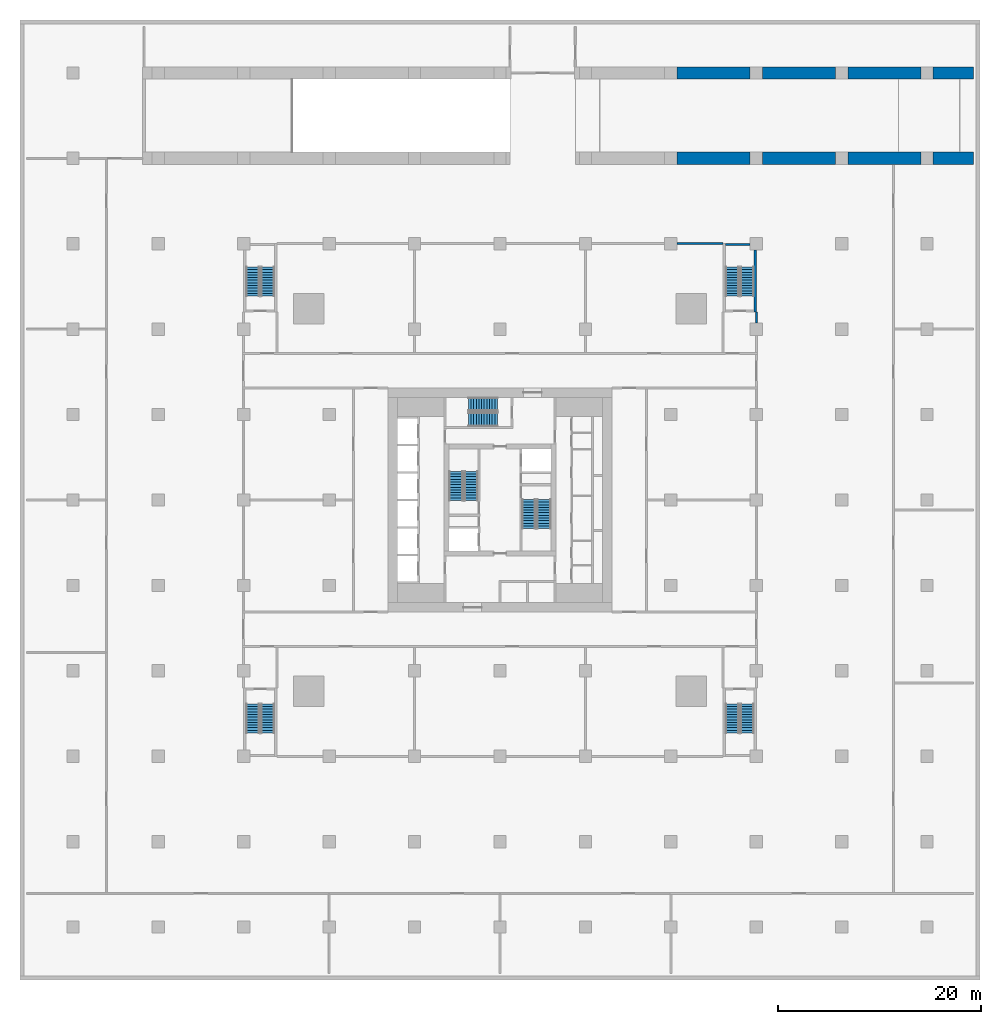
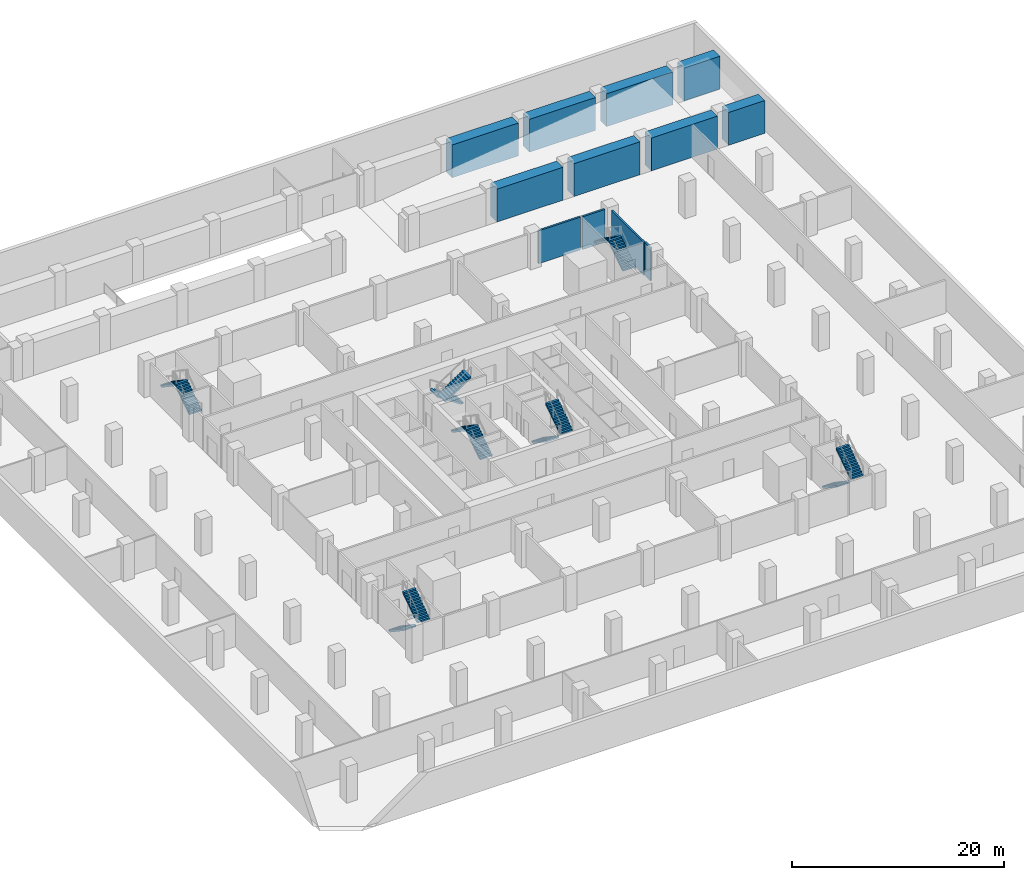
# One storey, part 11 of 16: 14 stair flights, 12 walls, 7 elements without a shape of their own.
"""IFC4 building model written with IfcOpenShell, lengths in metres."""

from ifc_helpers import new_model, si_unit, direction, frame, frame_2d, origin, place, context, subcontext, project, spatial, polyline, rectangle, outline, extrude, material, layer, layer_set, type_object, element, aggregate, save


model = new_model("IFC4")

# Units and contexts
model_context = context("Model", 3, precision=1e-05, world=origin(), true_north=direction((0.0, 1.0)))
body_context = subcontext(model_context, "Body", "Model", "MODEL_VIEW")
ifc_project = project(units=[si_unit("LENGTHUNIT", "METRE"), si_unit("AREAUNIT", "SQUARE_METRE"), si_unit("VOLUMEUNIT", "CUBIC_METRE"), si_unit("PLANEANGLEUNIT", "RADIAN"), si_unit("MASSUNIT", "GRAM", prefix="KILO")], contexts=[model_context])

# Site, building, storey
site_placement = place(None, origin())
site = spatial("IfcSite", under=ifc_project, at=site_placement, CompositionType="ELEMENT")
building_placement = place(site_placement, origin())
building = spatial("IfcBuilding", under=site, at=building_placement, Name="Khepri Terraces", CompositionType="ELEMENT")
storey_placement = place(building_placement, frame((0.0, 0.0, -4.199951171875)))
storey = spatial("IfcBuildingStorey", under=building, at=storey_placement, Name="B1", CompositionType="ELEMENT", Elevation=-4.199951171875)

# Walls
ifc_material_1 = material(Name="Fire-rated block wall")
ifc_layer_1 = layer(ifc_material_1, 0.199951171875, Name="Fire-rated block wall")
ifc_layer_set_1 = layer_set([ifc_layer_1], Name="Fire-rated block wall")
wall_type_1 = type_object("IfcWallType", Name="WL-POD-200-EI120", PredefinedType="PARTITIONING", material=ifc_layer_set_1)
wall_1_placement = place(storey_placement, frame((17.39990234375, 25.199951171875, 0.0), z_axis=(0.0, 0.0, 1.0), x_axis=(1.0, 0.0, 0.0)))
element("IfcWall", 1, at=wall_1_placement, inside=storey, type_object=wall_type_1, Name="Partition B1-PW033", PredefinedType="PARTITIONING", context=body_context, shape_type="SweptSolid", body=[
    extrude(rectangle(XDim=4.550048828125, YDim=0.199951171875, at=frame_2d((2.27490234375, 0.0))), origin(), (0.0, 0.0, 1.0), 3.780029296875),
])
wall_2_placement = place(storey_placement, frame((25.199951171875, 17.39990234375, 0.0), z_axis=(0.0, 0.0, 1.0), x_axis=(0.0, 1.0, 0.0)))
element("IfcWall", 2, at=wall_2_placement, inside=storey, type_object=wall_type_1, Name="Partition B1-PW105", PredefinedType="PARTITIONING", context=body_context, shape_type="SweptSolid", body=[
    extrude(rectangle(XDim=1.10009765625, YDim=0.199951171875, at=frame_2d((0.550048828125, 0.0))), origin(), (0.0, 0.0, 1.0), 3.780029296875),
])
ifc_material_2 = material(Name="Concrete C40/50", Category="concrete")
ifc_layer_2 = layer(ifc_material_2, 1.199951171875, Name="Concrete C40/50", Category="concrete")
ifc_layer_set_2 = layer_set([ifc_layer_2], Name="Concrete C40/50")
wall_type_2 = type_object("IfcWallType", Name="WL-POD-RAMP-1200", PredefinedType="SOLIDWALL", material=ifc_layer_set_2)
wall_3_placement = place(storey_placement, frame((17.39990234375, 33.60009765625, 0.0), z_axis=(0.0, 0.0, 1.0), x_axis=(1.0, 0.0, 0.0)))
element("IfcWall", 3, at=wall_3_placement, inside=storey, type_object=wall_type_2, Name="Ramp wall B1-PW044", PredefinedType="SOLIDWALL", context=body_context, shape_type="SweptSolid", body=[
    extrude(rectangle(XDim=7.2001953125, YDim=1.199951171875, at=frame_2d((3.60009765625, 0.0))), origin(), (0.0, 0.0, 1.0), 3.780029296875),
])
for number, where, z_axis, x_axis, name in (
    (4, (25.800048828125, 33.60009765625, 0.0), (0.0, 0.0, 1.0), (1.0, 0.0, 0.0), "Ramp wall B1-PW045"),
    (5, (34.199951171875, 33.60009765625, 0.0), (0.0, 0.0, 1.0), (1.0, 0.0, 0.0), "Ramp wall B1-PW046"),
):
    element("IfcWall", number, at=place(storey_placement, frame(where, z_axis=z_axis, x_axis=x_axis)), inside=storey, type_object=wall_type_2, Name=name, PredefinedType="SOLIDWALL", context=body_context, shape_type="SweptSolid", body=[
        extrude(rectangle(XDim=7.199951171875, YDim=1.199951171875, at=frame_2d((3.60009765625, 0.0))), origin(), (0.0, 0.0, 1.0), 3.780029296875),
    ])
wall_4_placement = place(storey_placement, frame((42.60009765625, 33.60009765625, 0.0), z_axis=(0.0, 0.0, 1.0), x_axis=(1.0, 0.0, 0.0)))
element("IfcWall", 6, at=wall_4_placement, inside=storey, type_object=wall_type_2, Name="Ramp wall B1-PW047", PredefinedType="SOLIDWALL", context=body_context, shape_type="SweptSolid", body=[
    extrude(rectangle(XDim=3.949951171875, YDim=1.199951171875, at=frame_2d((1.97509765625, 0.0))), origin(), (0.0, 0.0, 1.0), 3.780029296875),
])
wall_5_placement = place(storey_placement, frame((17.39990234375, 42.0, 0.0), z_axis=(0.0, 0.0, 1.0), x_axis=(1.0, 0.0, 0.0)))
element("IfcWall", 7, at=wall_5_placement, inside=storey, type_object=wall_type_2, Name="Ramp wall B1-PW057", PredefinedType="SOLIDWALL", context=body_context, shape_type="SweptSolid", body=[
    extrude(rectangle(XDim=7.2001953125, YDim=1.199951171875, at=frame_2d((3.60009765625, 0.0))), origin(), (0.0, 0.0, 1.0), 3.780029296875),
])
for number, where, z_axis, x_axis, name in (
    (8, (25.800048828125, 42.0, 0.0), (0.0, 0.0, 1.0), (1.0, 0.0, 0.0), "Ramp wall B1-PW058"),
    (9, (34.199951171875, 42.0, 0.0), (0.0, 0.0, 1.0), (1.0, 0.0, 0.0), "Ramp wall B1-PW059"),
):
    element("IfcWall", number, at=place(storey_placement, frame(where, z_axis=z_axis, x_axis=x_axis)), inside=storey, type_object=wall_type_2, Name=name, PredefinedType="SOLIDWALL", context=body_context, shape_type="SweptSolid", body=[
        extrude(rectangle(XDim=7.199951171875, YDim=1.199951171875, at=frame_2d((3.60009765625, 0.0))), origin(), (0.0, 0.0, 1.0), 3.780029296875),
    ])
wall_6_placement = place(storey_placement, frame((42.60009765625, 42.0, 0.0), z_axis=(0.0, 0.0, 1.0), x_axis=(1.0, 0.0, 0.0)))
element("IfcWall", 10, at=wall_6_placement, inside=storey, type_object=wall_type_2, Name="Ramp wall B1-PW060", PredefinedType="SOLIDWALL", context=body_context, shape_type="SweptSolid", body=[
    extrude(rectangle(XDim=3.949951171875, YDim=1.199951171875, at=frame_2d((1.97509765625, 0.0))), origin(), (0.0, 0.0, 1.0), 3.780029296875),
])
ifc_layer_3 = layer(ifc_material_2, 0.199951171875, Name="Concrete C40/50", Category="concrete")
ifc_layer_set_3 = layer_set([ifc_layer_3], Name="Concrete C40/50")
wall_type_3 = type_object("IfcWallType", Name="WL-POD-STAIR-200", PredefinedType="SOLIDWALL", material=ifc_layer_set_3)
wall_7_placement = place(storey_placement, frame((25.10009765625, 18.5, 0.0), z_axis=(0.0, 0.0, 1.0), x_axis=(0.0, 1.0, 0.0)))
element("IfcWall", 11, at=wall_7_placement, inside=storey, type_object=wall_type_3, Name="Stair enclosure PS-1 B1-E", PredefinedType="SOLIDWALL", context=body_context, shape_type="SweptSolid", body=[
    extrude(rectangle(XDim=6.10009765625, YDim=0.199951171875, at=frame_2d((3.050048828125, 0.0))), origin(), (0.0, 0.0, 1.0), 3.780029296875),
])
wall_8_placement = place(storey_placement, frame((22.14990234375, 25.139892578125, 0.0), z_axis=(0.0, 0.0, 1.0), x_axis=(1.0, 0.0, 0.0)))
element("IfcWall", 12, at=wall_8_placement, inside=storey, type_object=wall_type_3, Name="Stair enclosure PS-1 B1-N", PredefinedType="SOLIDWALL", context=body_context, shape_type="SweptSolid", body=[
    extrude(rectangle(XDim=2.4501953125, YDim=0.199951171875, at=frame_2d((1.22509765625, 0.0))), origin(), (0.0, 0.0, 1.0), 3.780029296875),
])

# Stair, stair flights
stair_type_1 = type_object("IfcStairType", Name="ST-POD", PredefinedType="HALF_TURN_STAIR", material=ifc_material_2)
stair_1_placement = place(storey_placement, origin())
stair_1 = element("IfcStair", 13, at=stair_1_placement, inside=storey, type_object=stair_type_1, Name="B1 Exit Stair PS-1", PredefinedType="HALF_TURN_STAIR")
stair_flight_type_1 = type_object("IfcStairFlightType", Name="SFL-POD", PredefinedType="STRAIGHT", material=ifc_material_2)
stair_flight_1_placement = place(storey_placement, frame((24.324951171875, 20.050048828125, 0.0), z_axis=(0.0, 0.0, 1.0), x_axis=(0.0, 1.0, 0.0)))
stair_flight_1 = element("IfcStairFlight", 14, at=stair_flight_1_placement, type_object=stair_flight_type_1, Name="PS-1 flight 1", NumberOfRisers=12, NumberOfTreads=11, PredefinedType="STRAIGHT", RiserHeight=0.175, TreadLength=0.26, context=body_context, shape_type="SweptSolid", body=[
    extrude(outline(polyline([(0.0, 0.0), (0.0, 0.175048828125), (0.260009765625, 0.175048828125), (0.260009765625, 0.35009765625), (0.52001953125, 0.35009765625), (0.52001953125, 0.52490234375), (0.780029296875, 0.52490234375), (0.780029296875, 0.699951171875), (1.0400390625, 0.699951171875), (1.0400390625, 0.875), (1.300048828125, 0.875), (1.300048828125, 1.050048828125), (1.56005859375, 1.050048828125), (1.56005859375, 1.22509765625), (1.820068359375, 1.22509765625), (1.820068359375, 1.39990234375), (2.080078125, 1.39990234375), (2.080078125, 1.574951171875), (2.340087890625, 1.574951171875), (2.340087890625, 1.75), (2.60009765625, 1.75), (2.60009765625, 1.925048828125), (2.860107421875, 1.925048828125), (2.860107421875, 2.10009765625), (2.860107421875, 1.744384765625), (0.2685546875, 0.0), (0.0, 0.0)])), frame((0.0, 0.675048828125, 0.0), z_axis=(0.0, -1.0, 0.0), x_axis=(1.0, 0.0, 0.0)), (0.0, 0.0, 1.0), 1.35009765625),
])
stair_flight_2_placement = place(storey_placement, frame((22.824951171875, 22.909912109375, 2.099853515625), z_axis=(0.0, 0.0, 1.0), x_axis=(0.0, -1.0, 0.0)))
stair_flight_2 = element("IfcStairFlight", 15, at=stair_flight_2_placement, type_object=stair_flight_type_1, Name="PS-1 flight 2", NumberOfRisers=12, NumberOfTreads=11, PredefinedType="STRAIGHT", RiserHeight=0.175, TreadLength=0.26, context=body_context, shape_type="SweptSolid", body=[
    extrude(outline(polyline([(0.0, 0.0), (0.0, 0.175048828125), (0.260009765625, 0.175048828125), (0.260009765625, 0.35009765625), (0.52001953125, 0.35009765625), (0.52001953125, 0.52490234375), (0.780029296875, 0.52490234375), (0.780029296875, 0.699951171875), (1.0400390625, 0.699951171875), (1.0400390625, 0.875), (1.300048828125, 0.875), (1.300048828125, 1.050048828125), (1.56005859375, 1.050048828125), (1.56005859375, 1.22509765625), (1.820068359375, 1.22509765625), (1.820068359375, 1.39990234375), (2.080078125, 1.39990234375), (2.080078125, 1.574951171875), (2.340087890625, 1.574951171875), (2.340087890625, 1.75), (2.60009765625, 1.75), (2.60009765625, 1.925048828125), (2.860107421875, 1.925048828125), (2.860107421875, 2.10009765625), (2.860107421875, 1.744384765625), (0.2685546875, 0.0), (0.0, 0.0)])), frame((0.0, 0.675048828125, 0.0), z_axis=(0.0, -1.0, 0.0), x_axis=(1.0, 0.0, 0.0)), (0.0, 0.0, 1.0), 1.35009765625),
])
aggregate(stair_1, [stair_flight_1, stair_flight_2])

stair_2_placement = place(storey_placement, origin())
stair_2 = element("IfcStair", 16, at=stair_2_placement, inside=storey, type_object=stair_type_1, Name="B1 Exit Stair PS-2", PredefinedType="HALF_TURN_STAIR")
stair_flight_3_placement = place(storey_placement, frame((-22.824951171875, 20.050048828125, 0.0), z_axis=(0.0, 0.0, 1.0), x_axis=(0.0, 1.0, 0.0)))
stair_flight_3 = element("IfcStairFlight", 17, at=stair_flight_3_placement, type_object=stair_flight_type_1, Name="PS-2 flight 1", NumberOfRisers=12, NumberOfTreads=11, PredefinedType="STRAIGHT", RiserHeight=0.175, TreadLength=0.26, context=body_context, shape_type="SweptSolid", body=[
    extrude(outline(polyline([(0.0, 0.0), (0.0, 0.175048828125), (0.260009765625, 0.175048828125), (0.260009765625, 0.35009765625), (0.52001953125, 0.35009765625), (0.52001953125, 0.52490234375), (0.780029296875, 0.52490234375), (0.780029296875, 0.699951171875), (1.0400390625, 0.699951171875), (1.0400390625, 0.875), (1.300048828125, 0.875), (1.300048828125, 1.050048828125), (1.56005859375, 1.050048828125), (1.56005859375, 1.22509765625), (1.820068359375, 1.22509765625), (1.820068359375, 1.39990234375), (2.080078125, 1.39990234375), (2.080078125, 1.574951171875), (2.340087890625, 1.574951171875), (2.340087890625, 1.75), (2.60009765625, 1.75), (2.60009765625, 1.925048828125), (2.860107421875, 1.925048828125), (2.860107421875, 2.10009765625), (2.860107421875, 1.744384765625), (0.2685546875, 0.0), (0.0, 0.0)])), frame((0.0, 0.675048828125, 0.0), z_axis=(0.0, -1.0, 0.0), x_axis=(1.0, 0.0, 0.0)), (0.0, 0.0, 1.0), 1.35009765625),
])
stair_flight_4_placement = place(storey_placement, frame((-24.324951171875, 22.909912109375, 2.099853515625), z_axis=(0.0, 0.0, 1.0), x_axis=(0.0, -1.0, 0.0)))
stair_flight_4 = element("IfcStairFlight", 18, at=stair_flight_4_placement, type_object=stair_flight_type_1, Name="PS-2 flight 2", NumberOfRisers=12, NumberOfTreads=11, PredefinedType="STRAIGHT", RiserHeight=0.175, TreadLength=0.26, context=body_context, shape_type="SweptSolid", body=[
    extrude(outline(polyline([(0.0, 0.0), (0.0, 0.175048828125), (0.260009765625, 0.175048828125), (0.260009765625, 0.35009765625), (0.52001953125, 0.35009765625), (0.52001953125, 0.52490234375), (0.780029296875, 0.52490234375), (0.780029296875, 0.699951171875), (1.0400390625, 0.699951171875), (1.0400390625, 0.875), (1.300048828125, 0.875), (1.300048828125, 1.050048828125), (1.56005859375, 1.050048828125), (1.56005859375, 1.22509765625), (1.820068359375, 1.22509765625), (1.820068359375, 1.39990234375), (2.080078125, 1.39990234375), (2.080078125, 1.574951171875), (2.340087890625, 1.574951171875), (2.340087890625, 1.75), (2.60009765625, 1.75), (2.60009765625, 1.925048828125), (2.860107421875, 1.925048828125), (2.860107421875, 2.10009765625), (2.860107421875, 1.744384765625), (0.2685546875, 0.0), (0.0, 0.0)])), frame((0.0, 0.675048828125, 0.0), z_axis=(0.0, -1.0, 0.0), x_axis=(1.0, 0.0, 0.0)), (0.0, 0.0, 1.0), 1.35009765625),
])
aggregate(stair_2, [stair_flight_3, stair_flight_4])

stair_3_placement = place(storey_placement, origin())
stair_3 = element("IfcStair", 19, at=stair_3_placement, inside=storey, type_object=stair_type_1, Name="B1 Exit Stair PS-3", PredefinedType="HALF_TURN_STAIR")
stair_flight_5_placement = place(storey_placement, frame((22.824951171875, -20.050048828125, 0.0), z_axis=(0.0, 0.0, 1.0), x_axis=(0.0, -1.0, 0.0)))
stair_flight_5 = element("IfcStairFlight", 20, at=stair_flight_5_placement, type_object=stair_flight_type_1, Name="PS-3 flight 1", NumberOfRisers=12, NumberOfTreads=11, PredefinedType="STRAIGHT", RiserHeight=0.175, TreadLength=0.26, context=body_context, shape_type="SweptSolid", body=[
    extrude(outline(polyline([(0.0, 0.0), (0.0, 0.175048828125), (0.260009765625, 0.175048828125), (0.260009765625, 0.35009765625), (0.52001953125, 0.35009765625), (0.52001953125, 0.52490234375), (0.780029296875, 0.52490234375), (0.780029296875, 0.699951171875), (1.0400390625, 0.699951171875), (1.0400390625, 0.875), (1.300048828125, 0.875), (1.300048828125, 1.050048828125), (1.56005859375, 1.050048828125), (1.56005859375, 1.22509765625), (1.820068359375, 1.22509765625), (1.820068359375, 1.39990234375), (2.080078125, 1.39990234375), (2.080078125, 1.574951171875), (2.340087890625, 1.574951171875), (2.340087890625, 1.75), (2.60009765625, 1.75), (2.60009765625, 1.925048828125), (2.860107421875, 1.925048828125), (2.860107421875, 2.10009765625), (2.860107421875, 1.744384765625), (0.2685546875, 0.0), (0.0, 0.0)])), frame((0.0, 0.675048828125, 0.0), z_axis=(0.0, -1.0, 0.0), x_axis=(1.0, 0.0, 0.0)), (0.0, 0.0, 1.0), 1.35009765625),
])
stair_flight_6_placement = place(storey_placement, frame((24.324951171875, -22.909912109375, 2.099853515625), z_axis=(0.0, 0.0, 1.0), x_axis=(0.0, 1.0, 0.0)))
stair_flight_6 = element("IfcStairFlight", 21, at=stair_flight_6_placement, type_object=stair_flight_type_1, Name="PS-3 flight 2", NumberOfRisers=12, NumberOfTreads=11, PredefinedType="STRAIGHT", RiserHeight=0.175, TreadLength=0.26, context=body_context, shape_type="SweptSolid", body=[
    extrude(outline(polyline([(0.0, 0.0), (0.0, 0.175048828125), (0.260009765625, 0.175048828125), (0.260009765625, 0.35009765625), (0.52001953125, 0.35009765625), (0.52001953125, 0.52490234375), (0.780029296875, 0.52490234375), (0.780029296875, 0.699951171875), (1.0400390625, 0.699951171875), (1.0400390625, 0.875), (1.300048828125, 0.875), (1.300048828125, 1.050048828125), (1.56005859375, 1.050048828125), (1.56005859375, 1.22509765625), (1.820068359375, 1.22509765625), (1.820068359375, 1.39990234375), (2.080078125, 1.39990234375), (2.080078125, 1.574951171875), (2.340087890625, 1.574951171875), (2.340087890625, 1.75), (2.60009765625, 1.75), (2.60009765625, 1.925048828125), (2.860107421875, 1.925048828125), (2.860107421875, 2.10009765625), (2.860107421875, 1.744384765625), (0.2685546875, 0.0), (0.0, 0.0)])), frame((0.0, 0.675048828125, 0.0), z_axis=(0.0, -1.0, 0.0), x_axis=(1.0, 0.0, 0.0)), (0.0, 0.0, 1.0), 1.35009765625),
])
aggregate(stair_3, [stair_flight_5, stair_flight_6])

stair_4_placement = place(storey_placement, origin())
stair_4 = element("IfcStair", 22, at=stair_4_placement, inside=storey, type_object=stair_type_1, Name="B1 Exit Stair PS-4", PredefinedType="HALF_TURN_STAIR")
stair_flight_7_placement = place(storey_placement, frame((-24.324951171875, -20.050048828125, 0.0), z_axis=(0.0, 0.0, 1.0), x_axis=(0.0, -1.0, 0.0)))
stair_flight_7 = element("IfcStairFlight", 23, at=stair_flight_7_placement, type_object=stair_flight_type_1, Name="PS-4 flight 1", NumberOfRisers=12, NumberOfTreads=11, PredefinedType="STRAIGHT", RiserHeight=0.175, TreadLength=0.26, context=body_context, shape_type="SweptSolid", body=[
    extrude(outline(polyline([(0.0, 0.0), (0.0, 0.175048828125), (0.260009765625, 0.175048828125), (0.260009765625, 0.35009765625), (0.52001953125, 0.35009765625), (0.52001953125, 0.52490234375), (0.780029296875, 0.52490234375), (0.780029296875, 0.699951171875), (1.0400390625, 0.699951171875), (1.0400390625, 0.875), (1.300048828125, 0.875), (1.300048828125, 1.050048828125), (1.56005859375, 1.050048828125), (1.56005859375, 1.22509765625), (1.820068359375, 1.22509765625), (1.820068359375, 1.39990234375), (2.080078125, 1.39990234375), (2.080078125, 1.574951171875), (2.340087890625, 1.574951171875), (2.340087890625, 1.75), (2.60009765625, 1.75), (2.60009765625, 1.925048828125), (2.860107421875, 1.925048828125), (2.860107421875, 2.10009765625), (2.860107421875, 1.744384765625), (0.2685546875, 0.0), (0.0, 0.0)])), frame((0.0, 0.675048828125, 0.0), z_axis=(0.0, -1.0, 0.0), x_axis=(1.0, 0.0, 0.0)), (0.0, 0.0, 1.0), 1.35009765625),
])
stair_flight_8_placement = place(storey_placement, frame((-22.824951171875, -22.909912109375, 2.099853515625), z_axis=(0.0, 0.0, 1.0), x_axis=(0.0, 1.0, 0.0)))
stair_flight_8 = element("IfcStairFlight", 24, at=stair_flight_8_placement, type_object=stair_flight_type_1, Name="PS-4 flight 2", NumberOfRisers=12, NumberOfTreads=11, PredefinedType="STRAIGHT", RiserHeight=0.175, TreadLength=0.26, context=body_context, shape_type="SweptSolid", body=[
    extrude(outline(polyline([(0.0, 0.0), (0.0, 0.175048828125), (0.260009765625, 0.175048828125), (0.260009765625, 0.35009765625), (0.52001953125, 0.35009765625), (0.52001953125, 0.52490234375), (0.780029296875, 0.52490234375), (0.780029296875, 0.699951171875), (1.0400390625, 0.699951171875), (1.0400390625, 0.875), (1.300048828125, 0.875), (1.300048828125, 1.050048828125), (1.56005859375, 1.050048828125), (1.56005859375, 1.22509765625), (1.820068359375, 1.22509765625), (1.820068359375, 1.39990234375), (2.080078125, 1.39990234375), (2.080078125, 1.574951171875), (2.340087890625, 1.574951171875), (2.340087890625, 1.75), (2.60009765625, 1.75), (2.60009765625, 1.925048828125), (2.860107421875, 1.925048828125), (2.860107421875, 2.10009765625), (2.860107421875, 1.744384765625), (0.2685546875, 0.0), (0.0, 0.0)])), frame((0.0, 0.675048828125, 0.0), z_axis=(0.0, -1.0, 0.0), x_axis=(1.0, 0.0, 0.0)), (0.0, 0.0, 1.0), 1.35009765625),
])
aggregate(stair_4, [stair_flight_7, stair_flight_8])

stair_type_2 = type_object("IfcStairType", Name="STAIR-RC-24R", PredefinedType="HALF_TURN_STAIR", material=ifc_material_2)
stair_5_placement = place(storey_placement, origin())
stair_5 = element("IfcStair", 25, at=stair_5_placement, inside=storey, type_object=stair_type_2, Name="B1 Exit Stair ST-1", PredefinedType="HALF_TURN_STAIR")
stair_flight_type_2 = type_object("IfcStairFlightType", Name="SFL-RC-175", PredefinedType="STRAIGHT", material=ifc_material_2)
stair_flight_9_placement = place(storey_placement, frame((-2.824951171875, -0.050048828125, 0.0), z_axis=(0.0, 0.0, 1.0), x_axis=(0.0, 1.0, 0.0)))
stair_flight_9 = element("IfcStairFlight", 26, at=stair_flight_9_placement, type_object=stair_flight_type_2, Name="ST-1 flight 1", NumberOfRisers=12, NumberOfTreads=11, PredefinedType="STRAIGHT", RiserHeight=0.175, TreadLength=0.26, context=body_context, shape_type="SweptSolid", body=[
    extrude(outline(polyline([(0.0, 0.0), (0.0, 0.175048828125), (0.260009765625, 0.175048828125), (0.260009765625, 0.35009765625), (0.52001953125, 0.35009765625), (0.52001953125, 0.52490234375), (0.780029296875, 0.52490234375), (0.780029296875, 0.699951171875), (1.0400390625, 0.699951171875), (1.0400390625, 0.875), (1.300048828125, 0.875), (1.300048828125, 1.050048828125), (1.56005859375, 1.050048828125), (1.56005859375, 1.22509765625), (1.820068359375, 1.22509765625), (1.820068359375, 1.39990234375), (2.080078125, 1.39990234375), (2.080078125, 1.574951171875), (2.340087890625, 1.574951171875), (2.340087890625, 1.75), (2.60009765625, 1.75), (2.60009765625, 1.925048828125), (2.860107421875, 1.925048828125), (2.860107421875, 2.10009765625), (2.860107421875, 1.744384765625), (0.2685546875, 0.0), (0.0, 0.0)])), frame((0.0, 0.675048828125, 0.0), z_axis=(0.0, -1.0, 0.0), x_axis=(1.0, 0.0, 0.0)), (0.0, 0.0, 1.0), 1.35009765625),
])
stair_flight_10_placement = place(storey_placement, frame((-4.324951171875, 2.81005859375, 2.099853515625), z_axis=(0.0, 0.0, 1.0), x_axis=(0.0, -1.0, 0.0)))
stair_flight_10 = element("IfcStairFlight", 27, at=stair_flight_10_placement, type_object=stair_flight_type_2, Name="ST-1 flight 2", NumberOfRisers=12, NumberOfTreads=11, PredefinedType="STRAIGHT", RiserHeight=0.175, TreadLength=0.26, context=body_context, shape_type="SweptSolid", body=[
    extrude(outline(polyline([(0.0, 0.0), (0.0, 0.175048828125), (0.260009765625, 0.175048828125), (0.260009765625, 0.35009765625), (0.52001953125, 0.35009765625), (0.52001953125, 0.52490234375), (0.780029296875, 0.52490234375), (0.780029296875, 0.699951171875), (1.0400390625, 0.699951171875), (1.0400390625, 0.875), (1.300048828125, 0.875), (1.300048828125, 1.050048828125), (1.56005859375, 1.050048828125), (1.56005859375, 1.22509765625), (1.820068359375, 1.22509765625), (1.820068359375, 1.39990234375), (2.080078125, 1.39990234375), (2.080078125, 1.574951171875), (2.340087890625, 1.574951171875), (2.340087890625, 1.75), (2.60009765625, 1.75), (2.60009765625, 1.925048828125), (2.860107421875, 1.925048828125), (2.860107421875, 2.10009765625), (2.860107421875, 1.744384765625), (0.2685546875, 0.0), (0.0, 0.0)])), frame((0.0, 0.675048828125, 0.0), z_axis=(0.0, -1.0, 0.0), x_axis=(1.0, 0.0, 0.0)), (0.0, 0.0, 1.0), 1.35009765625),
])
aggregate(stair_5, [stair_flight_9, stair_flight_10])

stair_6_placement = place(storey_placement, origin())
stair_6 = element("IfcStair", 28, at=stair_6_placement, inside=storey, type_object=stair_type_2, Name="B1 Exit Stair ST-2", PredefinedType="HALF_TURN_STAIR")
stair_flight_11_placement = place(storey_placement, frame((2.824951171875, 0.050048828125, 0.0), z_axis=(0.0, 0.0, 1.0), x_axis=(0.0, -1.0, 0.0)))
stair_flight_11 = element("IfcStairFlight", 29, at=stair_flight_11_placement, type_object=stair_flight_type_2, Name="ST-2 flight 1", NumberOfRisers=12, NumberOfTreads=11, PredefinedType="STRAIGHT", RiserHeight=0.175, TreadLength=0.26, context=body_context, shape_type="SweptSolid", body=[
    extrude(outline(polyline([(0.0, 0.0), (0.0, 0.175048828125), (0.260009765625, 0.175048828125), (0.260009765625, 0.35009765625), (0.52001953125, 0.35009765625), (0.52001953125, 0.52490234375), (0.780029296875, 0.52490234375), (0.780029296875, 0.699951171875), (1.0400390625, 0.699951171875), (1.0400390625, 0.875), (1.300048828125, 0.875), (1.300048828125, 1.050048828125), (1.56005859375, 1.050048828125), (1.56005859375, 1.22509765625), (1.820068359375, 1.22509765625), (1.820068359375, 1.39990234375), (2.080078125, 1.39990234375), (2.080078125, 1.574951171875), (2.340087890625, 1.574951171875), (2.340087890625, 1.75), (2.60009765625, 1.75), (2.60009765625, 1.925048828125), (2.860107421875, 1.925048828125), (2.860107421875, 2.10009765625), (2.860107421875, 1.744384765625), (0.2685546875, 0.0), (0.0, 0.0)])), frame((0.0, 0.675048828125, 0.0), z_axis=(0.0, -1.0, 0.0), x_axis=(1.0, 0.0, 0.0)), (0.0, 0.0, 1.0), 1.35009765625),
])
stair_flight_12_placement = place(storey_placement, frame((4.324951171875, -2.81005859375, 2.099853515625), z_axis=(0.0, 0.0, 1.0), x_axis=(0.0, 1.0, 0.0)))
stair_flight_12 = element("IfcStairFlight", 30, at=stair_flight_12_placement, type_object=stair_flight_type_2, Name="ST-2 flight 2", NumberOfRisers=12, NumberOfTreads=11, PredefinedType="STRAIGHT", RiserHeight=0.175, TreadLength=0.26, context=body_context, shape_type="SweptSolid", body=[
    extrude(outline(polyline([(0.0, 0.0), (0.0, 0.175048828125), (0.260009765625, 0.175048828125), (0.260009765625, 0.35009765625), (0.52001953125, 0.35009765625), (0.52001953125, 0.52490234375), (0.780029296875, 0.52490234375), (0.780029296875, 0.699951171875), (1.0400390625, 0.699951171875), (1.0400390625, 0.875), (1.300048828125, 0.875), (1.300048828125, 1.050048828125), (1.56005859375, 1.050048828125), (1.56005859375, 1.22509765625), (1.820068359375, 1.22509765625), (1.820068359375, 1.39990234375), (2.080078125, 1.39990234375), (2.080078125, 1.574951171875), (2.340087890625, 1.574951171875), (2.340087890625, 1.75), (2.60009765625, 1.75), (2.60009765625, 1.925048828125), (2.860107421875, 1.925048828125), (2.860107421875, 2.10009765625), (2.860107421875, 1.744384765625), (0.2685546875, 0.0), (0.0, 0.0)])), frame((0.0, 0.675048828125, 0.0), z_axis=(0.0, -1.0, 0.0), x_axis=(1.0, 0.0, 0.0)), (0.0, 0.0, 1.0), 1.35009765625),
])
aggregate(stair_6, [stair_flight_11, stair_flight_12])

stair_7_placement = place(storey_placement, origin())
stair_7 = element("IfcStair", 31, at=stair_7_placement, inside=storey, type_object=stair_type_2, Name="B1 Exit Stair ST-3", PredefinedType="HALF_TURN_STAIR")
stair_flight_13_placement = place(storey_placement, frame((-0.25, 9.425048828125, 0.0), z_axis=(0.0, 0.0, 1.0), x_axis=(-1.0, 0.0, 0.0)))
stair_flight_13 = element("IfcStairFlight", 32, at=stair_flight_13_placement, type_object=stair_flight_type_2, Name="ST-3 flight 1", NumberOfRisers=12, NumberOfTreads=11, PredefinedType="STRAIGHT", RiserHeight=0.175, TreadLength=0.26, context=body_context, shape_type="SweptSolid", body=[
    extrude(outline(polyline([(0.0, 0.0), (0.0, 0.175048828125), (0.260009765625, 0.175048828125), (0.260009765625, 0.35009765625), (0.52001953125, 0.35009765625), (0.52001953125, 0.52490234375), (0.780029296875, 0.52490234375), (0.780029296875, 0.699951171875), (1.0400390625, 0.699951171875), (1.0400390625, 0.875), (1.300048828125, 0.875), (1.300048828125, 1.050048828125), (1.56005859375, 1.050048828125), (1.56005859375, 1.22509765625), (1.820068359375, 1.22509765625), (1.820068359375, 1.39990234375), (2.080078125, 1.39990234375), (2.080078125, 1.574951171875), (2.340087890625, 1.574951171875), (2.340087890625, 1.75), (2.60009765625, 1.75), (2.60009765625, 1.925048828125), (2.860107421875, 1.925048828125), (2.860107421875, 2.10009765625), (2.860107421875, 1.744384765625), (0.2685546875, 0.0), (0.0, 0.0)])), frame((0.0, 0.675048828125, 0.0), z_axis=(0.0, -1.0, 0.0), x_axis=(1.0, 0.0, 0.0)), (0.0, 0.0, 1.0), 1.35009765625),
])
stair_flight_14_placement = place(storey_placement, frame((-3.110107421875, 7.925048828125, 2.099853515625), z_axis=(0.0, 0.0, 1.0), x_axis=(1.0, 0.0, 0.0)))
stair_flight_14 = element("IfcStairFlight", 33, at=stair_flight_14_placement, type_object=stair_flight_type_2, Name="ST-3 flight 2", NumberOfRisers=12, NumberOfTreads=11, PredefinedType="STRAIGHT", RiserHeight=0.175, TreadLength=0.26, context=body_context, shape_type="SweptSolid", body=[
    extrude(outline(polyline([(0.0, 0.0), (0.0, 0.175048828125), (0.260009765625, 0.175048828125), (0.260009765625, 0.35009765625), (0.52001953125, 0.35009765625), (0.52001953125, 0.52490234375), (0.780029296875, 0.52490234375), (0.780029296875, 0.699951171875), (1.0400390625, 0.699951171875), (1.0400390625, 0.875), (1.300048828125, 0.875), (1.300048828125, 1.050048828125), (1.56005859375, 1.050048828125), (1.56005859375, 1.22509765625), (1.820068359375, 1.22509765625), (1.820068359375, 1.39990234375), (2.080078125, 1.39990234375), (2.080078125, 1.574951171875), (2.340087890625, 1.574951171875), (2.340087890625, 1.75), (2.60009765625, 1.75), (2.60009765625, 1.925048828125), (2.860107421875, 1.925048828125), (2.860107421875, 2.10009765625), (2.860107421875, 1.744384765625), (0.2685546875, 0.0), (0.0, 0.0)])), frame((0.0, 0.675048828125, 0.0), z_axis=(0.0, -1.0, 0.0), x_axis=(1.0, 0.0, 0.0)), (0.0, 0.0, 1.0), 1.35009765625),
])
aggregate(stair_7, [stair_flight_13, stair_flight_14])

save(model, "model.ifc")
